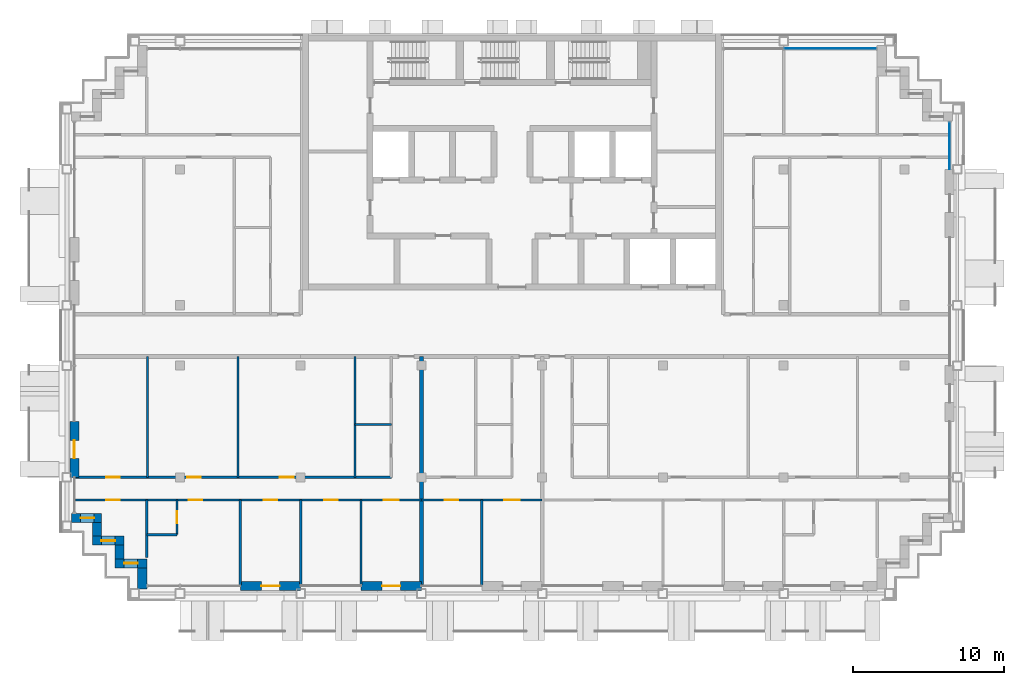
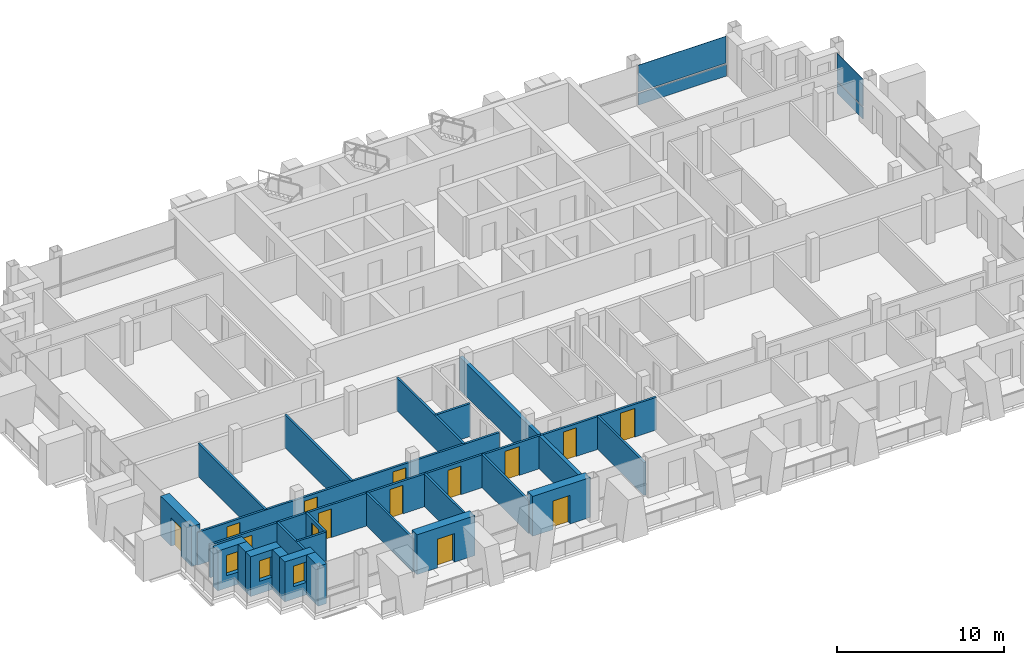
# One storey, part 7 of 16: 24 walls, 14 doors, 4 plates, 3 windows, 17 openings, 2 elements without a shape of their own.
"""IFC4 building model written with IfcOpenShell, lengths in metres."""

from ifc_helpers import new_model, si_unit, direction, frame, frame_2d, origin, origin_2d, place, context, subcontext, project, spatial, rectangle, extrude, material, layer, layer_set, type_object, element, fill, aggregate, save


model = new_model("IFC4")

# Units and contexts
model_context = context("Model", 3, precision=1e-05, world=origin(), true_north=direction((0.0, 1.0)))
body_context = subcontext(model_context, "Body", "Model", "MODEL_VIEW")
ifc_project = project(units=[si_unit("LENGTHUNIT", "METRE"), si_unit("AREAUNIT", "SQUARE_METRE"), si_unit("VOLUMEUNIT", "CUBIC_METRE"), si_unit("PLANEANGLEUNIT", "RADIAN"), si_unit("MASSUNIT", "GRAM", prefix="KILO")], contexts=[model_context])

# Site, building, storey
site_placement = place(None, origin())
site = spatial("IfcSite", under=ifc_project, at=site_placement, CompositionType="ELEMENT")
building_placement = place(site_placement, origin())
building = spatial("IfcBuilding", under=site, at=building_placement, Name="Vidyagriha Tower", CompositionType="ELEMENT")
storey_placement = place(building_placement, frame((0.0, 0.0, 220.39990234375)))
storey = spatial("IfcBuildingStorey", under=building, at=storey_placement, Name="L57", CompositionType="ELEMENT", Elevation=220.39990234375)

# Curtain wall, plate
ifc_material_1 = material(Name="Aluminium and glass curtain wall", Category="aluminium")
curtain_wall_type = type_object("IfcCurtainWallType", Name="Dwelling skin unitised curtain wall", PredefinedType="USERDEFINED", material=ifc_material_1)
curtain_wall_1_placement = place(storey_placement, origin())
curtain_wall_1 = element("IfcCurtainWall", 1, at=curtain_wall_1_placement, inside=storey, type_object=curtain_wall_type, Name="CW1 dwelling skin", ObjectType="UNITISED", PredefinedType="USERDEFINED")
ifc_material_2 = material(Name="Glass dark ceramic-fritted spandrel", Category="glass")
ifc_layer_1 = layer(ifc_material_2, 0.0400390625)
ifc_layer_set_1 = layer_set([ifc_layer_1], Name="Glass dark ceramic-fritted spandrel")
plate_type_1 = type_object("IfcPlateType", Name="Ceramic-fritted spandrel panel", PredefinedType="CURTAIN_PANEL", material=ifc_layer_set_1)
plate_1_placement = place(storey_placement, frame((21.08251953125, 19.0, 0.0), z_axis=(0.0, 0.0, 1.0), x_axis=(-1.0, 0.0, 0.0)))
plate_1 = element("IfcPlate", 2, at=plate_1_placement, type_object=plate_type_1, Name="CW1 panel 1.1", PredefinedType="CURTAIN_PANEL", context=body_context, shape_type="SweptSolid", body=[
    extrude(rectangle(XDim=6.094970703125, YDim=0.0400390625, at=origin_2d()), origin(), (0.0, 0.0, 1.0), 0.85009765625),
])

curtain_wall_2_placement = place(storey_placement, origin())
curtain_wall_2 = element("IfcCurtainWall", 3, at=curtain_wall_2_placement, inside=storey, type_object=curtain_wall_type, Name="CW1 dwelling skin", ObjectType="UNITISED", PredefinedType="USERDEFINED")
plate_2_placement = place(storey_placement, frame((29.0, 12.56494140625, 0.0), z_axis=(0.0, 0.0, 1.0), x_axis=(0.0, 1.0, 0.0)))
plate_2 = element("IfcPlate", 4, at=plate_2_placement, type_object=plate_type_1, Name="CW1 panel 1.1", PredefinedType="CURTAIN_PANEL", context=body_context, shape_type="SweptSolid", body=[
    extrude(rectangle(XDim=3.1298828125, YDim=0.0400390625, at=origin_2d()), origin(), (0.0, 0.0, 1.0), 0.85009765625),
])

# Plate
ifc_material_3 = material(Name="Glass dark ceramic-fritted", Category="glass")
ifc_layer_2 = layer(ifc_material_3, 0.028076171875)
ifc_layer_set_2 = layer_set([ifc_layer_2], Name="Glass dark ceramic-fritted")
plate_type_2 = type_object("IfcPlateType", Name="Dark ceramic-fritted vision glass panel", PredefinedType="CURTAIN_PANEL", material=ifc_layer_set_2)
plate_3_placement = place(storey_placement, frame((21.08251953125, 19.0, 0.9501953125), z_axis=(0.0, 0.0, 1.0), x_axis=(-1.0, 0.0, 0.0)))
plate_3 = element("IfcPlate", 5, at=plate_3_placement, type_object=plate_type_2, Name="CW1 panel 1.2", PredefinedType="CURTAIN_PANEL", context=body_context, shape_type="SweptSolid", body=[
    extrude(rectangle(XDim=6.094970703125, YDim=0.028076171875, at=origin_2d()), origin(), (0.0, 0.0, 1.0), 1.969970703125),
])

aggregate(curtain_wall_1, [plate_1, plate_3])

plate_4_placement = place(storey_placement, frame((29.0, 12.56494140625, 0.9501953125), z_axis=(0.0, 0.0, 1.0), x_axis=(0.0, 1.0, 0.0)))
plate_4 = element("IfcPlate", 6, at=plate_4_placement, type_object=plate_type_2, Name="CW1 panel 1.2", PredefinedType="CURTAIN_PANEL", context=body_context, shape_type="SweptSolid", body=[
    extrude(rectangle(XDim=3.1298828125, YDim=0.028076171875, at=origin_2d()), origin(), (0.0, 0.0, 1.0), 1.969970703125),
])

aggregate(curtain_wall_2, [plate_2, plate_4])

# Wall, opening, door
ifc_material_4 = material(Name="Precast concrete C40/50 with brick facing", Category="concrete")
ifc_layer_3 = layer(ifc_material_4, 0.60009765625)
ifc_layer_set_3 = layer_set([ifc_layer_3], Name="Precast concrete C40/50 with brick facing")
wall_type_1 = type_object("IfcWallType", Name="Brick-faced precast wall 600", PredefinedType="STANDARD", material=ifc_layer_set_3)
wall_1_placement = place(storey_placement, frame((-29.0, -5.699951171875, 0.0), z_axis=(0.0, 0.0, 1.0), x_axis=(0.0, -1.0, 0.0)))
wall_1 = element("IfcWall", 7, at=wall_1_placement, inside=storey, type_object=wall_type_1, Name="Brick door bay wall L57 R16.6", PredefinedType="STANDARD", context=body_context, shape_type="SweptSolid", body=[
    extrude(rectangle(XDim=3.699951171875, YDim=0.60009765625, at=frame_2d((1.85009765625, 0.0))), origin(), (0.0, 0.0, 1.0), 2.920166015625),
])
opening_1_placement = place(wall_1_placement, frame((1.25, 0.0, 0.0)))
opening_1 = element("IfcOpeningElement", 8, at=opening_1_placement, cuts=wall_1, Name="Opening D57-63", PredefinedType="OPENING", context=body_context, shape_type="SweptSolid", body=[
    extrude(rectangle(XDim=1.199951171875, YDim=2.10009765625, at=frame_2d((0.60009765625, 1.050048828125))), frame((0.0, 0.31005859375, 0.0), z_axis=(0.0, -1.0, 0.0), x_axis=(1.0, 0.0, 0.0)), (0.0, 0.0, 1.0), 0.6201171875),
])
ifc_material_5 = material(Name="Aluminium framed glazed sliding door", Category="aluminium")
door_type_1 = type_object("IfcDoorType", Name="Balcony sliding door 1200x2100", OperationType="NOTDEFINED", PredefinedType="DOOR", material=ifc_material_5)
door_1_placement = place(opening_1_placement, origin())
door_1 = element("IfcDoor", 9, at=door_1_placement, inside=storey, type_object=door_type_1, Name="Door D57-63", OperationType="SLIDING_TO_LEFT", OverallHeight=2.10009765625, OverallWidth=1.199951171875, PredefinedType="DOOR", context=body_context, shape_type="SweptSolid", body=[
    extrude(rectangle(XDim=1.199951171875, YDim=2.10009765625, at=frame_2d((0.60009765625, 1.050048828125))), frame((0.0, 0.02490234375, 0.0), z_axis=(0.0, -1.0, 0.0), x_axis=(1.0, 0.0, 0.0)), (0.0, 0.0, 1.0), 0.050048828125),
])
fill(opening_1, door_1)

# Wall, opening, window
wall_2_placement = place(storey_placement, frame((-29.199951171875, -12.10009765625, 0.0)))
wall_2 = element("IfcWall", 10, at=wall_2_placement, inside=storey, type_object=wall_type_1, Name="Stepped corner wall L57 R17", PredefinedType="STANDARD", context=body_context, shape_type="SweptSolid", body=[
    extrude(rectangle(XDim=2.0, YDim=0.60009765625, at=frame_2d((1.0, 0.0))), origin(), (0.0, 0.0, 1.0), 2.920166015625),
])
opening_2_placement = place(wall_2_placement, frame((0.610107421875, 0.0, 0.89990234375)))
opening_2 = element("IfcOpeningElement", 11, at=opening_2_placement, cuts=wall_2, Name="Opening WN1", PredefinedType="OPENING", context=body_context, shape_type="SweptSolid", body=[
    extrude(rectangle(XDim=0.89990234375, YDim=1.5, at=frame_2d((0.449951171875, 0.75))), frame((0.0, 0.31005859375, 0.0), z_axis=(0.0, -1.0, 0.0), x_axis=(1.0, 0.0, 0.0)), (0.0, 0.0, 1.0), 0.6201171875),
])
ifc_material_6 = material(Name="Aluminium and glass window", Category="aluminium")
window_type = type_object("IfcWindowType", Name="Reveal window 900x1500", PartitioningType="NOTDEFINED", PredefinedType="WINDOW", material=ifc_material_6)
window_1_placement = place(opening_2_placement, origin())
window_1 = element("IfcWindow", 12, at=window_1_placement, inside=storey, type_object=window_type, Name="Reveal window L57 R17", OverallHeight=1.5, OverallWidth=0.89990234375, PartitioningType="SINGLE_PANEL", PredefinedType="WINDOW", context=body_context, shape_type="SweptSolid", body=[
    extrude(rectangle(XDim=0.89990234375, YDim=1.5, at=frame_2d((0.449951171875, 0.75))), frame((0.0, 0.030029296875, 0.0), z_axis=(0.0, -1.0, 0.0), x_axis=(1.0, 0.0, 0.0)), (0.0, 0.0, 1.0), 0.06005859375),
])
fill(opening_2, window_1)

# Wall
wall_3_placement = place(storey_placement, frame((-27.5, -12.39990234375, 0.0), z_axis=(0.0, 0.0, 1.0), x_axis=(0.0, -1.0, 0.0)))
element("IfcWall", 13, at=wall_3_placement, inside=storey, type_object=wall_type_1, Name="Stepped corner wall L57 R18", PredefinedType="STANDARD", context=body_context, shape_type="SweptSolid", body=[
    extrude(rectangle(XDim=0.900146484375, YDim=0.60009765625, at=frame_2d((0.4501953125, 0.0))), origin(), (0.0, 0.0, 1.0), 2.920166015625),
])

# Wall, opening, window
wall_4_placement = place(storey_placement, frame((-27.800048828125, -13.60009765625, 0.0)))
wall_4 = element("IfcWall", 14, at=wall_4_placement, inside=storey, type_object=wall_type_1, Name="Stepped corner wall L57 R19", PredefinedType="STANDARD", context=body_context, shape_type="SweptSolid", body=[
    extrude(rectangle(XDim=2.10009765625, YDim=0.60009765625, at=frame_2d((1.050048828125, 0.0))), origin(), (0.0, 0.0, 1.0), 2.920166015625),
])
opening_3_placement = place(wall_4_placement, frame((0.60009765625, 0.0, 0.89990234375)))
opening_3 = element("IfcOpeningElement", 15, at=opening_3_placement, cuts=wall_4, Name="Opening WN1", PredefinedType="OPENING", context=body_context, shape_type="SweptSolid", body=[
    extrude(rectangle(XDim=0.89990234375, YDim=1.5, at=frame_2d((0.449951171875, 0.75))), frame((0.0, 0.31005859375, 0.0), z_axis=(0.0, -1.0, 0.0), x_axis=(1.0, 0.0, 0.0)), (0.0, 0.0, 1.0), 0.6201171875),
])
window_2_placement = place(opening_3_placement, origin())
window_2 = element("IfcWindow", 16, at=window_2_placement, inside=storey, type_object=window_type, Name="Reveal window L57 R19", OverallHeight=1.5, OverallWidth=0.89990234375, PartitioningType="SINGLE_PANEL", PredefinedType="WINDOW", context=body_context, shape_type="SweptSolid", body=[
    extrude(rectangle(XDim=0.89990234375, YDim=1.5, at=frame_2d((0.449951171875, 0.75))), frame((0.0, 0.030029296875, 0.0), z_axis=(0.0, -1.0, 0.0), x_axis=(1.0, 0.0, 0.0)), (0.0, 0.0, 1.0), 0.06005859375),
])
fill(opening_3, window_2)

# Wall
wall_5_placement = place(storey_placement, frame((-26.0, -13.89990234375, 0.0), z_axis=(0.0, 0.0, 1.0), x_axis=(0.0, -1.0, 0.0)))
element("IfcWall", 17, at=wall_5_placement, inside=storey, type_object=wall_type_1, Name="Stepped corner wall L57 R20", PredefinedType="STANDARD", context=body_context, shape_type="SweptSolid", body=[
    extrude(rectangle(XDim=0.900146484375, YDim=0.60009765625, at=frame_2d((0.4501953125, 0.0))), origin(), (0.0, 0.0, 1.0), 2.920166015625),
])

# Wall, opening, window
wall_6_placement = place(storey_placement, frame((-26.300048828125, -15.10009765625, 0.0)))
wall_6 = element("IfcWall", 18, at=wall_6_placement, inside=storey, type_object=wall_type_1, Name="Stepped corner wall L57 R21", PredefinedType="STANDARD", context=body_context, shape_type="SweptSolid", body=[
    extrude(rectangle(XDim=2.10009765625, YDim=0.60009765625, at=frame_2d((1.050048828125, 0.0))), origin(), (0.0, 0.0, 1.0), 2.920166015625),
])
opening_4_placement = place(wall_6_placement, frame((0.60009765625, 0.0, 0.89990234375)))
opening_4 = element("IfcOpeningElement", 19, at=opening_4_placement, cuts=wall_6, Name="Opening WN1", PredefinedType="OPENING", context=body_context, shape_type="SweptSolid", body=[
    extrude(rectangle(XDim=0.89990234375, YDim=1.5, at=frame_2d((0.449951171875, 0.75))), frame((0.0, 0.31005859375, 0.0), z_axis=(0.0, -1.0, 0.0), x_axis=(1.0, 0.0, 0.0)), (0.0, 0.0, 1.0), 0.6201171875),
])
window_3_placement = place(opening_4_placement, origin())
window_3 = element("IfcWindow", 20, at=window_3_placement, inside=storey, type_object=window_type, Name="Reveal window L57 R21", OverallHeight=1.5, OverallWidth=0.89990234375, PartitioningType="SINGLE_PANEL", PredefinedType="WINDOW", context=body_context, shape_type="SweptSolid", body=[
    extrude(rectangle(XDim=0.89990234375, YDim=1.5, at=frame_2d((0.449951171875, 0.75))), frame((0.0, 0.030029296875, 0.0), z_axis=(0.0, -1.0, 0.0), x_axis=(1.0, 0.0, 0.0)), (0.0, 0.0, 1.0), 0.06005859375),
])
fill(opening_4, window_3)

# Wall
wall_7_placement = place(storey_placement, frame((-24.5, -15.39990234375, 0.0), z_axis=(0.0, 0.0, 1.0), x_axis=(0.0, -1.0, 0.0)))
element("IfcWall", 21, at=wall_7_placement, inside=storey, type_object=wall_type_1, Name="Stepped corner wall L57 R22", PredefinedType="STANDARD", context=body_context, shape_type="SweptSolid", body=[
    extrude(rectangle(XDim=1.400146484375, YDim=0.60009765625, at=frame_2d((0.7001953125, 0.0))), origin(), (0.0, 0.0, 1.0), 2.920166015625),
])

# Wall, opening, door
wall_8_placement = place(storey_placement, frame((-18.0, -16.60009765625, 0.0)))
wall_8 = element("IfcWall", 22, at=wall_8_placement, inside=storey, type_object=wall_type_1, Name="Brick door bay wall L57 R23.3", PredefinedType="STANDARD", context=body_context, shape_type="SweptSolid", body=[
    extrude(rectangle(XDim=4.0, YDim=0.60009765625, at=frame_2d((2.0, 0.0))), origin(), (0.0, 0.0, 1.0), 2.920166015625),
])
opening_5_placement = place(wall_8_placement, frame((1.39990234375, 0.0, 0.0)))
opening_5 = element("IfcOpeningElement", 23, at=opening_5_placement, cuts=wall_8, Name="Opening D57-64", PredefinedType="OPENING", context=body_context, shape_type="SweptSolid", body=[
    extrude(rectangle(XDim=1.199951171875, YDim=2.10009765625, at=frame_2d((0.60009765625, 1.050048828125))), frame((0.0, 0.31005859375, 0.0), z_axis=(0.0, -1.0, 0.0), x_axis=(1.0, 0.0, 0.0)), (0.0, 0.0, 1.0), 0.6201171875),
])
door_2_placement = place(opening_5_placement, origin())
door_2 = element("IfcDoor", 24, at=door_2_placement, inside=storey, type_object=door_type_1, Name="Door D57-64", OperationType="SLIDING_TO_LEFT", OverallHeight=2.10009765625, OverallWidth=1.199951171875, PredefinedType="DOOR", context=body_context, shape_type="SweptSolid", body=[
    extrude(rectangle(XDim=1.199951171875, YDim=2.10009765625, at=frame_2d((0.60009765625, 1.050048828125))), frame((0.0, 0.02490234375, 0.0), z_axis=(0.0, -1.0, 0.0), x_axis=(1.0, 0.0, 0.0)), (0.0, 0.0, 1.0), 0.050048828125),
])
fill(opening_5, door_2)

wall_9_placement = place(storey_placement, frame((-10.0, -16.60009765625, 0.0)))
wall_9 = element("IfcWall", 25, at=wall_9_placement, inside=storey, type_object=wall_type_1, Name="Brick door bay wall L57 R23.5", PredefinedType="STANDARD", context=body_context, shape_type="SweptSolid", body=[
    extrude(rectangle(XDim=4.0, YDim=0.60009765625, at=frame_2d((2.0, 0.0))), origin(), (0.0, 0.0, 1.0), 2.920166015625),
])
opening_6_placement = place(wall_9_placement, frame((1.39990234375, 0.0, 0.0)))
opening_6 = element("IfcOpeningElement", 26, at=opening_6_placement, cuts=wall_9, Name="Opening D57-65", PredefinedType="OPENING", context=body_context, shape_type="SweptSolid", body=[
    extrude(rectangle(XDim=1.199951171875, YDim=2.10009765625, at=frame_2d((0.60009765625, 1.050048828125))), frame((0.0, 0.31005859375, 0.0), z_axis=(0.0, -1.0, 0.0), x_axis=(1.0, 0.0, 0.0)), (0.0, 0.0, 1.0), 0.6201171875),
])
door_3_placement = place(opening_6_placement, origin())
door_3 = element("IfcDoor", 27, at=door_3_placement, inside=storey, type_object=door_type_1, Name="Door D57-65", OperationType="SLIDING_TO_LEFT", OverallHeight=2.10009765625, OverallWidth=1.199951171875, PredefinedType="DOOR", context=body_context, shape_type="SweptSolid", body=[
    extrude(rectangle(XDim=1.199951171875, YDim=2.10009765625, at=frame_2d((0.60009765625, 1.050048828125))), frame((0.0, 0.02490234375, 0.0), z_axis=(0.0, -1.0, 0.0), x_axis=(1.0, 0.0, 0.0)), (0.0, 0.0, 1.0), 0.050048828125),
])
fill(opening_6, door_3)

# Walls
ifc_material_7 = material(Name="Fired clay brick masonry", Category="masonry")
ifc_layer_4 = layer(ifc_material_7, 0.25)
ifc_layer_set_4 = layer_set([ifc_layer_4], Name="Fired clay brick masonry")
wall_type_2 = type_object("IfcWallType", Name="Fired clay brick demising wall 250", PredefinedType="PARTITIONING", material=ifc_layer_set_4)
wall_10_placement = place(storey_placement, frame((-6.0, -1.39990234375, 0.0), z_axis=(0.0, 0.0, 1.0), x_axis=(0.0, -1.0, 0.0)))
element("IfcWall", 28, at=wall_10_placement, inside=storey, type_object=wall_type_2, Name="Wall all-L57-w038", PredefinedType="PARTITIONING", context=body_context, shape_type="SweptSolid", body=[
    extrude(rectangle(XDim=15.110107421875, YDim=0.25, at=frame_2d((7.55517578125, 0.0))), origin(), (0.0, 0.0, 1.0), 2.400146484375),
])
ifc_material_8 = material(Name="Gypsum board partition")
ifc_layer_5 = layer(ifc_material_8, 0.14990234375)
ifc_layer_set_5 = layer_set([ifc_layer_5], Name="Gypsum board partition")
wall_type_3 = type_object("IfcWallType", Name="Gypsum board partition 150", PredefinedType="PARTITIONING", material=ifc_layer_set_5)
wall_11_placement = place(storey_placement, frame((-8.0, -5.89990234375, 0.0), z_axis=(0.0, 0.0, 1.0), x_axis=(-1.0, 0.0, 0.0)))
element("IfcWall", 29, at=wall_11_placement, inside=storey, type_object=wall_type_3, Name="Wall all-L57-w004", PredefinedType="PARTITIONING", context=body_context, shape_type="SweptSolid", body=[
    extrude(rectangle(XDim=2.39990234375, YDim=0.14990234375, at=frame_2d((1.199951171875, 0.0))), origin(), (0.0, 0.0, 1.0), 2.400146484375),
])
for number, where, z_axis, x_axis, name in (
    (30, (-10.39990234375, -9.39990234375, 0.0), (0.0, 0.0, 1.0), (0.0, 1.0, 0.0), "Wall all-L57-w005"),
    (31, (-18.14990234375, -9.39990234375, 0.0), (0.0, 0.0, 1.0), (0.0, 1.0, 0.0), "Wall all-L57-w006"),
    (32, (-24.14990234375, -9.39990234375, 0.0), (0.0, 0.0, 1.0), (0.0, 1.0, 0.0), "Wall all-L57-w007"),
):
    element("IfcWall", number, at=place(storey_placement, frame(where, z_axis=z_axis, x_axis=x_axis)), inside=storey, type_object=wall_type_3, Name=name, PredefinedType="PARTITIONING", context=body_context, shape_type="SweptSolid", body=[
        extrude(rectangle(XDim=8.0, YDim=0.14990234375, at=frame_2d((4.0, 0.0))), origin(), (0.0, 0.0, 1.0), 2.400146484375),
    ])

# Wall, openings, doors
wall_12_placement = place(storey_placement, frame((-28.909912109375, -9.39990234375, 0.0)))
wall_12 = element("IfcWall", 33, at=wall_12_placement, inside=storey, type_object=wall_type_3, Name="Wall all-L57-w008", PredefinedType="PARTITIONING", context=body_context, shape_type="SweptSolid", body=[
    extrude(rectangle(XDim=20.909912109375, YDim=0.14990234375, at=frame_2d((10.455078125, 0.0))), origin(), (0.0, 0.0, 1.0), 2.400146484375),
])
opening_7_placement = place(wall_12_placement, frame((13.533935546875, 0.0, 0.0)))
opening_7 = element("IfcOpeningElement", 34, at=opening_7_placement, cuts=wall_12, Name="Opening D57-19", PredefinedType="OPENING", context=body_context, shape_type="SweptSolid", body=[
    extrude(rectangle(XDim=0.89990234375, YDim=2.10009765625, at=frame_2d((0.449951171875, 1.050048828125))), frame((0.0, 0.0849609375, 0.0), z_axis=(0.0, -1.0, 0.0), x_axis=(1.0, 0.0, 0.0)), (0.0, 0.0, 1.0), 0.169921875),
])
opening_8_placement = place(wall_12_placement, frame((7.385986328125, 0.0, 0.0)))
opening_8 = element("IfcOpeningElement", 35, at=opening_8_placement, cuts=wall_12, Name="Opening D57-20", PredefinedType="OPENING", context=body_context, shape_type="SweptSolid", body=[
    extrude(rectangle(XDim=0.89990234375, YDim=2.10009765625, at=frame_2d((0.449951171875, 1.050048828125))), frame((0.0, 0.0849609375, 0.0), z_axis=(0.0, -1.0, 0.0), x_axis=(1.0, 0.0, 0.0)), (0.0, 0.0, 1.0), 0.169921875),
])
opening_9_placement = place(wall_12_placement, frame((2.034912109375, 0.0, 0.0)))
opening_9 = element("IfcOpeningElement", 36, at=opening_9_placement, cuts=wall_12, Name="Opening D57-21", PredefinedType="OPENING", context=body_context, shape_type="SweptSolid", body=[
    extrude(rectangle(XDim=0.89990234375, YDim=2.10009765625, at=frame_2d((0.449951171875, 1.050048828125))), frame((0.0, 0.0849609375, 0.0), z_axis=(0.0, -1.0, 0.0), x_axis=(1.0, 0.0, 0.0)), (0.0, 0.0, 1.0), 0.169921875),
])
ifc_material_9 = material(Name="Timber door leaf", Category="wood")
door_type_2 = type_object("IfcDoorType", Name="Room door 900x2100", OperationType="NOTDEFINED", PredefinedType="DOOR", material=ifc_material_9)
door_4_placement = place(opening_7_placement, origin())
door_4 = element("IfcDoor", 37, at=door_4_placement, inside=storey, type_object=door_type_2, Name="Door D57-19", OperationType="SINGLE_SWING_LEFT", OverallHeight=2.10009765625, OverallWidth=0.89990234375, PredefinedType="DOOR", context=body_context, shape_type="SweptSolid", body=[
    extrude(rectangle(XDim=0.89990234375, YDim=2.10009765625, at=frame_2d((0.449951171875, 1.050048828125))), frame((0.0, 0.02490234375, 0.0), z_axis=(0.0, -1.0, 0.0), x_axis=(1.0, 0.0, 0.0)), (0.0, 0.0, 1.0), 0.050048828125),
])
fill(opening_7, door_4)
door_5_placement = place(opening_8_placement, origin())
door_5 = element("IfcDoor", 38, at=door_5_placement, inside=storey, type_object=door_type_2, Name="Door D57-20", OperationType="SINGLE_SWING_RIGHT", OverallHeight=2.10009765625, OverallWidth=0.89990234375, PredefinedType="DOOR", context=body_context, shape_type="SweptSolid", body=[
    extrude(rectangle(XDim=0.89990234375, YDim=2.10009765625, at=frame_2d((0.449951171875, 1.050048828125))), frame((0.0, 0.02490234375, 0.0), z_axis=(0.0, -1.0, 0.0), x_axis=(1.0, 0.0, 0.0)), (0.0, 0.0, 1.0), 0.050048828125),
])
fill(opening_8, door_5)
door_6_placement = place(opening_9_placement, origin())
door_6 = element("IfcDoor", 39, at=door_6_placement, inside=storey, type_object=door_type_2, Name="Door D57-21", OperationType="SINGLE_SWING_LEFT", OverallHeight=2.10009765625, OverallWidth=0.89990234375, PredefinedType="DOOR", context=body_context, shape_type="SweptSolid", body=[
    extrude(rectangle(XDim=0.89990234375, YDim=2.10009765625, at=frame_2d((0.449951171875, 1.050048828125))), frame((0.0, 0.02490234375, 0.0), z_axis=(0.0, -1.0, 0.0), x_axis=(1.0, 0.0, 0.0)), (0.0, 0.0, 1.0), 0.050048828125),
])
fill(opening_9, door_6)

wall_13_placement = place(storey_placement, frame((-6.0, -10.89990234375, 0.0), z_axis=(0.0, 0.0, 1.0), x_axis=(-1.0, 0.0, 0.0)))
wall_13 = element("IfcWall", 40, at=wall_13_placement, inside=storey, type_object=wall_type_3, Name="Wall all-L57-w012", PredefinedType="PARTITIONING", context=body_context, shape_type="SweptSolid", body=[
    extrude(rectangle(XDim=22.919921875, YDim=0.14990234375, at=frame_2d((11.4599609375, 0.0))), origin(), (0.0, 0.0, 1.0), 2.400146484375),
])
opening_10_placement = place(wall_13_placement, frame((20.0, 0.0, 0.0)))
opening_10 = element("IfcOpeningElement", 41, at=opening_10_placement, cuts=wall_13, Name="Opening D57-22", PredefinedType="OPENING", context=body_context, shape_type="SweptSolid", body=[
    extrude(rectangle(XDim=0.89990234375, YDim=2.10009765625, at=frame_2d((0.449951171875, 1.050048828125))), frame((0.0, 0.0849609375, 0.0), z_axis=(0.0, -1.0, 0.0), x_axis=(1.0, 0.0, 0.0)), (0.0, 0.0, 1.0), 0.169921875),
])
opening_11_placement = place(wall_13_placement, frame((14.52392578125, 0.0, 0.0)))
opening_11 = element("IfcOpeningElement", 42, at=opening_11_placement, cuts=wall_13, Name="Opening D57-23", PredefinedType="OPENING", context=body_context, shape_type="SweptSolid", body=[
    extrude(rectangle(XDim=0.89990234375, YDim=2.10009765625, at=frame_2d((0.449951171875, 1.050048828125))), frame((0.0, 0.0849609375, 0.0), z_axis=(0.0, -1.0, 0.0), x_axis=(1.0, 0.0, 0.0)), (0.0, 0.0, 1.0), 0.169921875),
])
opening_12_placement = place(wall_13_placement, frame((9.550048828125, 0.0, 0.0)))
opening_12 = element("IfcOpeningElement", 43, at=opening_12_placement, cuts=wall_13, Name="Opening D57-24", PredefinedType="OPENING", context=body_context, shape_type="SweptSolid", body=[
    extrude(rectangle(XDim=0.89990234375, YDim=2.10009765625, at=frame_2d((0.449951171875, 1.050048828125))), frame((0.0, 0.0849609375, 0.0), z_axis=(0.0, -1.0, 0.0), x_axis=(1.0, 0.0, 0.0)), (0.0, 0.0, 1.0), 0.169921875),
])
opening_13_placement = place(wall_13_placement, frame((5.550048828125, 0.0, 0.0)))
opening_13 = element("IfcOpeningElement", 44, at=opening_13_placement, cuts=wall_13, Name="Opening D57-25", PredefinedType="OPENING", context=body_context, shape_type="SweptSolid", body=[
    extrude(rectangle(XDim=0.89990234375, YDim=2.10009765625, at=frame_2d((0.449951171875, 1.050048828125))), frame((0.0, 0.0849609375, 0.0), z_axis=(0.0, -1.0, 0.0), x_axis=(1.0, 0.0, 0.0)), (0.0, 0.0, 1.0), 0.169921875),
])
opening_14_placement = place(wall_13_placement, frame((1.5, 0.0, 0.0)))
opening_14 = element("IfcOpeningElement", 45, at=opening_14_placement, cuts=wall_13, Name="Opening D57-26", PredefinedType="OPENING", context=body_context, shape_type="SweptSolid", body=[
    extrude(rectangle(XDim=1.0, YDim=2.10009765625, at=frame_2d((0.5, 1.050048828125))), frame((0.0, 0.0849609375, 0.0), z_axis=(0.0, -1.0, 0.0), x_axis=(1.0, 0.0, 0.0)), (0.0, 0.0, 1.0), 0.169921875),
])
ifc_material_10 = material(Name="Timber door leaf", Category="wood")
door_type_3 = type_object("IfcDoorType", Name="Room door 1000x2100", OperationType="NOTDEFINED", PredefinedType="DOOR", material=ifc_material_10)
door_7_placement = place(opening_14_placement, origin())
door_7 = element("IfcDoor", 46, at=door_7_placement, inside=storey, type_object=door_type_3, Name="Door D57-26", OperationType="SINGLE_SWING_RIGHT", OverallHeight=2.10009765625, OverallWidth=1.0, PredefinedType="DOOR", context=body_context, shape_type="SweptSolid", body=[
    extrude(rectangle(XDim=1.0, YDim=2.10009765625, at=frame_2d((0.5, 1.050048828125))), frame((0.0, 0.02490234375, 0.0), z_axis=(0.0, -1.0, 0.0), x_axis=(1.0, 0.0, 0.0)), (0.0, 0.0, 1.0), 0.050048828125),
])
fill(opening_14, door_7)
door_8_placement = place(opening_10_placement, origin())
door_8 = element("IfcDoor", 47, at=door_8_placement, inside=storey, type_object=door_type_2, Name="Door D57-22", OperationType="SINGLE_SWING_RIGHT", OverallHeight=2.10009765625, OverallWidth=0.89990234375, PredefinedType="DOOR", context=body_context, shape_type="SweptSolid", body=[
    extrude(rectangle(XDim=0.89990234375, YDim=2.10009765625, at=frame_2d((0.449951171875, 1.050048828125))), frame((0.0, 0.02490234375, 0.0), z_axis=(0.0, -1.0, 0.0), x_axis=(1.0, 0.0, 0.0)), (0.0, 0.0, 1.0), 0.050048828125),
])
fill(opening_10, door_8)
door_9_placement = place(opening_11_placement, origin())
door_9 = element("IfcDoor", 48, at=door_9_placement, inside=storey, type_object=door_type_2, Name="Door D57-23", OperationType="SINGLE_SWING_LEFT", OverallHeight=2.10009765625, OverallWidth=0.89990234375, PredefinedType="DOOR", context=body_context, shape_type="SweptSolid", body=[
    extrude(rectangle(XDim=0.89990234375, YDim=2.10009765625, at=frame_2d((0.449951171875, 1.050048828125))), frame((0.0, 0.02490234375, 0.0), z_axis=(0.0, -1.0, 0.0), x_axis=(1.0, 0.0, 0.0)), (0.0, 0.0, 1.0), 0.050048828125),
])
fill(opening_11, door_9)
door_10_placement = place(opening_12_placement, origin())
door_10 = element("IfcDoor", 49, at=door_10_placement, inside=storey, type_object=door_type_2, Name="Door D57-24", OperationType="SINGLE_SWING_RIGHT", OverallHeight=2.10009765625, OverallWidth=0.89990234375, PredefinedType="DOOR", context=body_context, shape_type="SweptSolid", body=[
    extrude(rectangle(XDim=0.89990234375, YDim=2.10009765625, at=frame_2d((0.449951171875, 1.050048828125))), frame((0.0, 0.02490234375, 0.0), z_axis=(0.0, -1.0, 0.0), x_axis=(1.0, 0.0, 0.0)), (0.0, 0.0, 1.0), 0.050048828125),
])
fill(opening_12, door_10)
door_11_placement = place(opening_13_placement, origin())
door_11 = element("IfcDoor", 50, at=door_11_placement, inside=storey, type_object=door_type_2, Name="Door D57-25", OperationType="SINGLE_SWING_RIGHT", OverallHeight=2.10009765625, OverallWidth=0.89990234375, PredefinedType="DOOR", context=body_context, shape_type="SweptSolid", body=[
    extrude(rectangle(XDim=0.89990234375, YDim=2.10009765625, at=frame_2d((0.449951171875, 1.050048828125))), frame((0.0, 0.02490234375, 0.0), z_axis=(0.0, -1.0, 0.0), x_axis=(1.0, 0.0, 0.0)), (0.0, 0.0, 1.0), 0.050048828125),
])
fill(opening_13, door_11)

# Walls
wall_14_placement = place(storey_placement, frame((-24.199951171875, -10.89990234375, 0.0), z_axis=(0.0, 0.0, 1.0), x_axis=(0.0, -1.0, 0.0)))
element("IfcWall", 51, at=wall_14_placement, inside=storey, type_object=wall_type_3, Name="Wall all-L57-w018", PredefinedType="PARTITIONING", context=body_context, shape_type="SweptSolid", body=[
    extrude(rectangle(XDim=3.820068359375, YDim=0.14990234375, at=frame_2d((1.91015625, 0.0))), origin(), (0.0, 0.0, 1.0), 2.400146484375),
])
wall_15_placement = place(storey_placement, frame((-18.0, -10.89990234375, 0.0), z_axis=(0.0, 0.0, 1.0), x_axis=(0.0, -1.0, 0.0)))
element("IfcWall", 52, at=wall_15_placement, inside=storey, type_object=wall_type_3, Name="Wall all-L57-w019", PredefinedType="PARTITIONING", context=body_context, shape_type="SweptSolid", body=[
    extrude(rectangle(XDim=5.62109375, YDim=0.14990234375, at=frame_2d((2.810546875, 0.0))), origin(), (0.0, 0.0, 1.0), 2.400146484375),
])
wall_16_placement = place(storey_placement, frame((-14.0, -10.89990234375, 0.0), z_axis=(0.0, 0.0, 1.0), x_axis=(0.0, -1.0, 0.0)))
element("IfcWall", 53, at=wall_16_placement, inside=storey, type_object=wall_type_3, Name="Wall all-L57-w020", PredefinedType="PARTITIONING", context=body_context, shape_type="SweptSolid", body=[
    extrude(rectangle(XDim=5.610107421875, YDim=0.14990234375, at=frame_2d((2.80517578125, 0.0))), origin(), (0.0, 0.0, 1.0), 2.400146484375),
])
wall_17_placement = place(storey_placement, frame((-10.0, -10.89990234375, 0.0), z_axis=(0.0, 0.0, 1.0), x_axis=(0.0, -1.0, 0.0)))
element("IfcWall", 54, at=wall_17_placement, inside=storey, type_object=wall_type_3, Name="Wall all-L57-w021", PredefinedType="PARTITIONING", context=body_context, shape_type="SweptSolid", body=[
    extrude(rectangle(XDim=5.62109375, YDim=0.14990234375, at=frame_2d((2.810546875, 0.0))), origin(), (0.0, 0.0, 1.0), 2.400146484375),
])

# Wall, opening, door
wall_18_placement = place(storey_placement, frame((-22.199951171875, -10.89990234375, 0.0), z_axis=(0.0, 0.0, 1.0), x_axis=(0.0, -1.0, 0.0)))
wall_18 = element("IfcWall", 55, at=wall_18_placement, inside=storey, type_object=wall_type_3, Name="Wall all-L57-w022", PredefinedType="PARTITIONING", context=body_context, shape_type="SweptSolid", body=[
    extrude(rectangle(XDim=2.300048828125, YDim=0.14990234375, at=frame_2d((1.14990234375, 0.0))), origin(), (0.0, 0.0, 1.0), 2.400146484375),
])
opening_15_placement = place(wall_18_placement, frame((0.75, 0.0, 0.0)))
opening_15 = element("IfcOpeningElement", 56, at=opening_15_placement, cuts=wall_18, Name="Opening D57-27", PredefinedType="OPENING", context=body_context, shape_type="SweptSolid", body=[
    extrude(rectangle(XDim=0.800048828125, YDim=2.10009765625, at=frame_2d((0.39990234375, 1.050048828125))), frame((0.0, 0.0849609375, 0.0), z_axis=(0.0, -1.0, 0.0), x_axis=(1.0, 0.0, 0.0)), (0.0, 0.0, 1.0), 0.169921875),
])
ifc_material_11 = material(Name="Timber door leaf", Category="wood")
door_type_4 = type_object("IfcDoorType", Name="Bathroom door 800x2100", OperationType="NOTDEFINED", PredefinedType="DOOR", material=ifc_material_11)
door_12_placement = place(opening_15_placement, origin())
door_12 = element("IfcDoor", 57, at=door_12_placement, inside=storey, type_object=door_type_4, Name="Door D57-27", OperationType="SINGLE_SWING_LEFT", OverallHeight=2.10009765625, OverallWidth=0.800048828125, PredefinedType="DOOR", context=body_context, shape_type="SweptSolid", body=[
    extrude(rectangle(XDim=0.800048828125, YDim=2.10009765625, at=frame_2d((0.39990234375, 1.050048828125))), frame((0.0, 0.02490234375, 0.0), z_axis=(0.0, -1.0, 0.0), x_axis=(1.0, 0.0, 0.0)), (0.0, 0.0, 1.0), 0.050048828125),
])
fill(opening_15, door_12)

# Wall
wall_19_placement = place(storey_placement, frame((-22.199951171875, -13.199951171875, 0.0), z_axis=(0.0, 0.0, 1.0), x_axis=(-1.0, 0.0, 0.0)))
element("IfcWall", 58, at=wall_19_placement, inside=storey, type_object=wall_type_3, Name="Wall all-L57-w023", PredefinedType="PARTITIONING", context=body_context, shape_type="SweptSolid", body=[
    extrude(rectangle(XDim=2.0, YDim=0.14990234375, at=frame_2d((1.0, 0.0))), origin(), (0.0, 0.0, 1.0), 2.400146484375),
])

# Wall, openings, doors
wall_20_placement = place(storey_placement, frame((2.0, -10.89990234375, 0.0), z_axis=(0.0, 0.0, 1.0), x_axis=(-1.0, 0.0, 0.0)))
wall_20 = element("IfcWall", 59, at=wall_20_placement, inside=storey, type_object=wall_type_3, Name="Wall all-L57-w033", PredefinedType="PARTITIONING", context=body_context, shape_type="SweptSolid", body=[
    extrude(rectangle(XDim=8.0, YDim=0.14990234375, at=frame_2d((4.0, 0.0))), origin(), (0.0, 0.0, 1.0), 2.400146484375),
])
opening_16_placement = place(wall_20_placement, frame((5.550048828125, 0.0, 0.0)))
opening_16 = element("IfcOpeningElement", 60, at=opening_16_placement, cuts=wall_20, Name="Opening D57-32", PredefinedType="OPENING", context=body_context, shape_type="SweptSolid", body=[
    extrude(rectangle(XDim=0.89990234375, YDim=2.10009765625, at=frame_2d((0.449951171875, 1.050048828125))), frame((0.0, 0.0849609375, 0.0), z_axis=(0.0, -1.0, 0.0), x_axis=(1.0, 0.0, 0.0)), (0.0, 0.0, 1.0), 0.169921875),
])
opening_17_placement = place(wall_20_placement, frame((1.5, 0.0, 0.0)))
opening_17 = element("IfcOpeningElement", 61, at=opening_17_placement, cuts=wall_20, Name="Opening D57-33", PredefinedType="OPENING", context=body_context, shape_type="SweptSolid", body=[
    extrude(rectangle(XDim=1.0, YDim=2.10009765625, at=frame_2d((0.5, 1.050048828125))), frame((0.0, 0.0849609375, 0.0), z_axis=(0.0, -1.0, 0.0), x_axis=(1.0, 0.0, 0.0)), (0.0, 0.0, 1.0), 0.169921875),
])
door_13_placement = place(opening_17_placement, origin())
door_13 = element("IfcDoor", 62, at=door_13_placement, inside=storey, type_object=door_type_3, Name="Door D57-33", OperationType="SINGLE_SWING_RIGHT", OverallHeight=2.10009765625, OverallWidth=1.0, PredefinedType="DOOR", context=body_context, shape_type="SweptSolid", body=[
    extrude(rectangle(XDim=1.0, YDim=2.10009765625, at=frame_2d((0.5, 1.050048828125))), frame((0.0, 0.02490234375, 0.0), z_axis=(0.0, -1.0, 0.0), x_axis=(1.0, 0.0, 0.0)), (0.0, 0.0, 1.0), 0.050048828125),
])
fill(opening_17, door_13)
door_14_placement = place(opening_16_placement, origin())
door_14 = element("IfcDoor", 63, at=door_14_placement, inside=storey, type_object=door_type_2, Name="Door D57-32", OperationType="SINGLE_SWING_RIGHT", OverallHeight=2.10009765625, OverallWidth=0.89990234375, PredefinedType="DOOR", context=body_context, shape_type="SweptSolid", body=[
    extrude(rectangle(XDim=0.89990234375, YDim=2.10009765625, at=frame_2d((0.449951171875, 1.050048828125))), frame((0.0, 0.02490234375, 0.0), z_axis=(0.0, -1.0, 0.0), x_axis=(1.0, 0.0, 0.0)), (0.0, 0.0, 1.0), 0.050048828125),
])
fill(opening_16, door_14)

# Wall
wall_21_placement = place(storey_placement, frame((-2.0, -10.89990234375, 0.0), z_axis=(0.0, 0.0, 1.0), x_axis=(0.0, -1.0, 0.0)))
element("IfcWall", 64, at=wall_21_placement, inside=storey, type_object=wall_type_3, Name="Wall all-L57-w036", PredefinedType="PARTITIONING", context=body_context, shape_type="SweptSolid", body=[
    extrude(rectangle(XDim=5.62109375, YDim=0.14990234375, at=frame_2d((2.810546875, 0.0))), origin(), (0.0, 0.0, 1.0), 2.400146484375),
])

save(model, "model.ifc")
